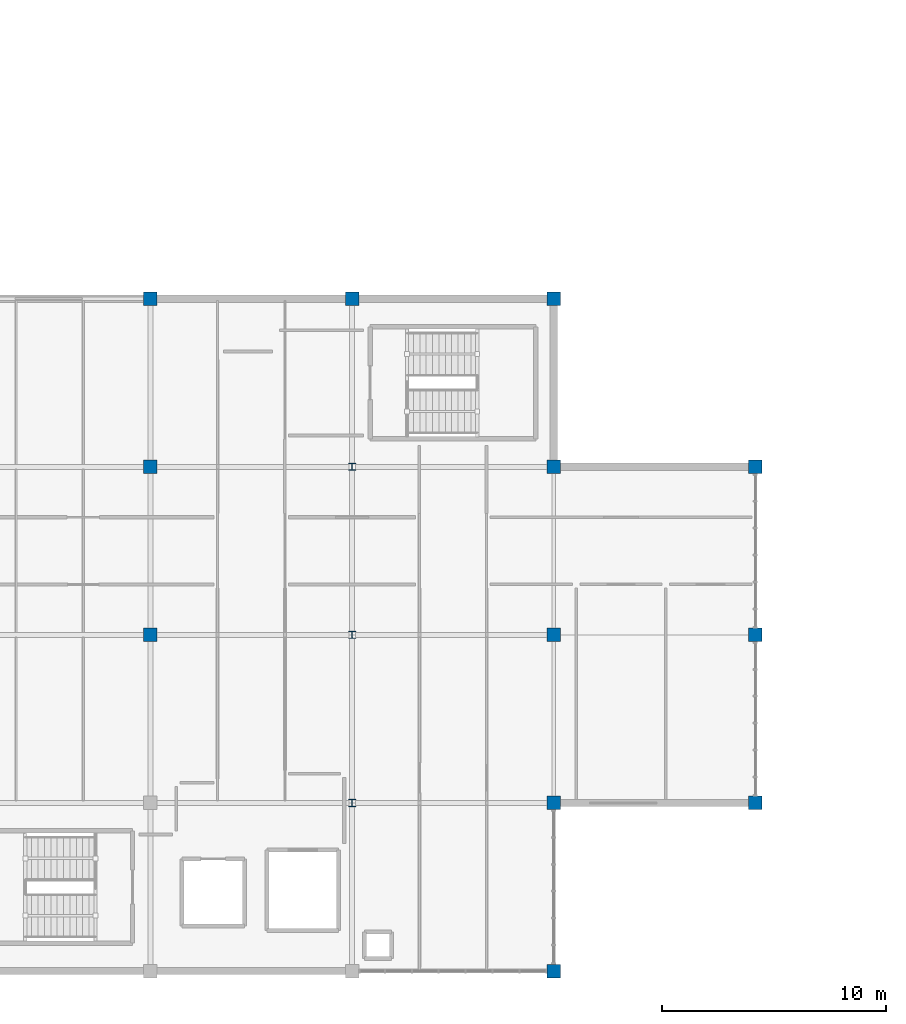
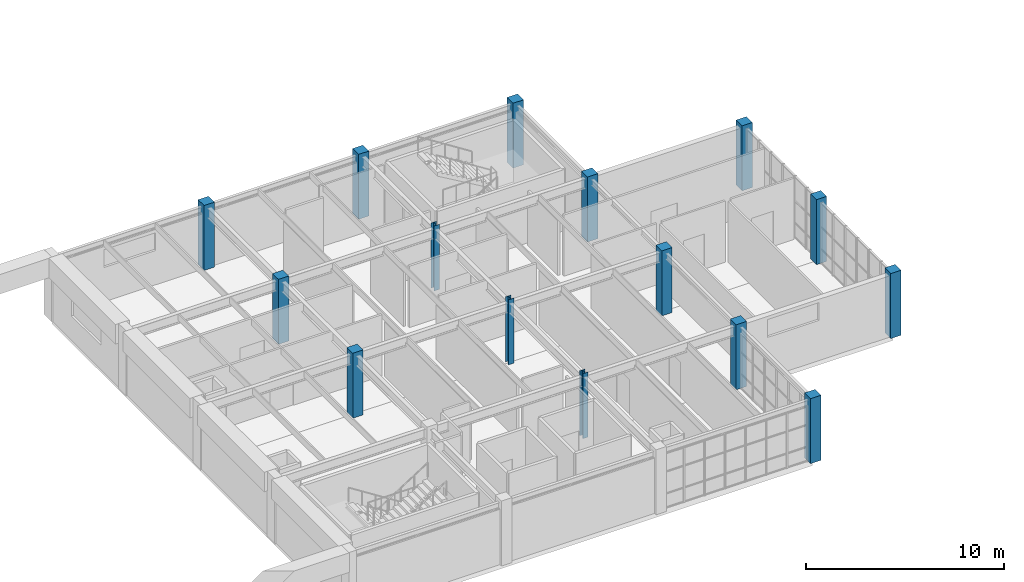
# One storey, part 5 of 76: 15 columns.
"""IFC4 building model written with IfcOpenShell, lengths in metres."""

from ifc_helpers import new_model, si_unit, direction, frame, origin, origin_2d, place, context, subcontext, project, spatial, rectangle, i_section, extrude, material, material_profile, profile_set, type_object, element, save


model = new_model("IFC4")

# Units and contexts
model_context = context("Model", 3, precision=1e-05, world=origin(), true_north=direction((0.0, 1.0)))
body_context = subcontext(model_context, "Body", "Model", "MODEL_VIEW")
ifc_project = project(units=[si_unit("LENGTHUNIT", "METRE"), si_unit("AREAUNIT", "SQUARE_METRE"), si_unit("VOLUMEUNIT", "CUBIC_METRE"), si_unit("PLANEANGLEUNIT", "RADIAN"), si_unit("MASSUNIT", "GRAM", prefix="KILO")], contexts=[model_context])

# Site, building, storey
site_placement = place(None, origin())
site = spatial("IfcSite", under=ifc_project, at=site_placement, CompositionType="ELEMENT")
building_placement = place(site_placement, origin())
building = spatial("IfcBuilding", under=site, at=building_placement, Name="Marnridge Secondary College", CompositionType="ELEMENT")
storey_placement = place(building_placement, frame((0.0, 0.0, 4.5)))
storey = spatial("IfcBuildingStorey", under=building, at=storey_placement, Name="L01", CompositionType="ELEMENT", Elevation=4.5)

# Columns
ifc_material_1 = material(Name="Concrete C40/50 (AS 3600 N40, 40 MPa)", Category="concrete")
ifc_material_profile_1 = material_profile(ifc_material_1, rectangle(XDim=0.60009765625, YDim=0.60009765625, at=origin_2d()), Name="RC 600x600")
ifc_profile_set_1 = profile_set([ifc_material_profile_1], Name="Concrete C40/50 (AS 3600 N40, 40 MPa)")
column_type_1 = type_object("IfcColumnType", Name="CL-RC600-EXT", PredefinedType="COLUMN", material=ifc_profile_set_1)
for number, where, z_axis, x_axis, name in (
    (1, (117.0, 0.0, 0.0), (0.0, 0.0, 1.0), (1.0, 0.0, 0.0), "Column C-L01-0046"),
    (2, (117.0, 7.5, 0.0), (0.0, 0.0, 1.0), (1.0, 0.0, 0.0), "Column C-L01-0094"),
    (3, (126.0, 7.5, 0.0), (0.0, 0.0, 1.0), (1.0, 0.0, 0.0), "Column C-L01-0097"),
    (4, (126.0, 15.0, 0.0), (0.0, 0.0, 1.0), (1.0, 0.0, 0.0), "Column C-L01-0142"),
    (5, (117.0, 22.5, 0.0), (0.0, 0.0, 1.0), (1.0, 0.0, 0.0), "Column C-L01-0184"),
    (6, (126.0, 22.5, 0.0), (0.0, 0.0, 1.0), (1.0, 0.0, 0.0), "Column C-L01-0187"),
    (7, (99.0, 30.0, 0.0), (0.0, 0.0, 1.0), (1.0, 0.0, 0.0), "Column C-L01-0227"),
    (8, (108.0, 30.0, 0.0), (0.0, 0.0, 1.0), (1.0, 0.0, 0.0), "Column C-L01-0230"),
    (9, (117.0, 30.0, 0.0), (0.0, 0.0, 1.0), (1.0, 0.0, 0.0), "Column C-L01-0233"),
):
    element("IfcColumn", number, at=place(storey_placement, frame(where, z_axis=z_axis, x_axis=x_axis)), inside=storey, type_object=column_type_1, Name=name, PredefinedType="COLUMN", context=body_context, shape_type="SweptSolid", body=[
        extrude(rectangle(XDim=0.60009765625, YDim=0.60009765625, at=origin_2d()), origin(), (0.0, 0.0, 1.0), 4.0),
    ])
ifc_material_2 = material(Name="Concrete C40/50 (AS 3600 N40, 40 MPa)", Category="concrete")
ifc_material_profile_2 = material_profile(ifc_material_2, rectangle(XDim=0.60009765625, YDim=0.60009765625, at=origin_2d()), Name="RC 600x600")
ifc_profile_set_2 = profile_set([ifc_material_profile_2], Name="Concrete C40/50 (AS 3600 N40, 40 MPa)")
column_type_2 = type_object("IfcColumnType", Name="CL-RC600-INT", PredefinedType="COLUMN", material=ifc_profile_set_2)
for number, where, z_axis, x_axis, name in (
    (10, (99.0, 15.0, 0.0), (0.0, 0.0, 1.0), (1.0, 0.0, 0.0), "Column C-L01-0133"),
    (11, (117.0, 15.0, 0.0), (0.0, 0.0, 1.0), (1.0, 0.0, 0.0), "Column C-L01-0139"),
    (12, (99.0, 22.5, 0.0), (0.0, 0.0, 1.0), (1.0, 0.0, 0.0), "Column C-L01-0178"),
):
    element("IfcColumn", number, at=place(storey_placement, frame(where, z_axis=z_axis, x_axis=x_axis)), inside=storey, type_object=column_type_2, Name=name, PredefinedType="COLUMN", context=body_context, shape_type="SweptSolid", body=[
        extrude(rectangle(XDim=0.60009765625, YDim=0.60009765625, at=origin_2d()), origin(), (0.0, 0.0, 1.0), 4.0),
    ])
ifc_material_3 = material(Name="Structural steel Grade 350 (AS/NZS 3679.1/.2, fy = 340-360 MPa)", Category="steel")
ifc_material_profile_3 = material_profile(ifc_material_3, i_section(OverallWidth=0.30908203125, OverallDepth=0.320556640625, WebThickness=0.013916015625, FlangeThickness=0.021728515625, FilletRadius=0.0166015625, at=origin_2d()), Name="310UC137")
ifc_profile_set_3 = profile_set([ifc_material_profile_3], Name="Structural steel Grade 350 (AS/NZS 3679.1/.2, fy = 340-360 MPa)")
column_type_3 = type_object("IfcColumnType", Name="CL-UC310-INT", PredefinedType="COLUMN", material=ifc_profile_set_3)
for number, where, z_axis, x_axis, name in (
    (13, (108.0, 7.5, 0.0), (0.0, 0.0, 1.0), (1.0, 0.0, 0.0), "Column C-L01-0091"),
    (14, (108.0, 15.0, 0.0), (0.0, 0.0, 1.0), (1.0, 0.0, 0.0), "Column C-L01-0136"),
    (15, (108.0, 22.5, 0.0), (0.0, 0.0, 1.0), (1.0, 0.0, 0.0), "Column C-L01-0181"),
):
    element("IfcColumn", number, at=place(storey_placement, frame(where, z_axis=z_axis, x_axis=x_axis)), inside=storey, type_object=column_type_3, Name=name, PredefinedType="COLUMN", context=body_context, shape_type="SweptSolid", body=[
        extrude(i_section(OverallWidth=0.30908203125, OverallDepth=0.320556640625, WebThickness=0.013916015625, FlangeThickness=0.021728515625, FilletRadius=0.0166015625, at=origin_2d()), origin(), (0.0, 0.0, 1.0), 4.0),
    ])

save(model, "model.ifc")
